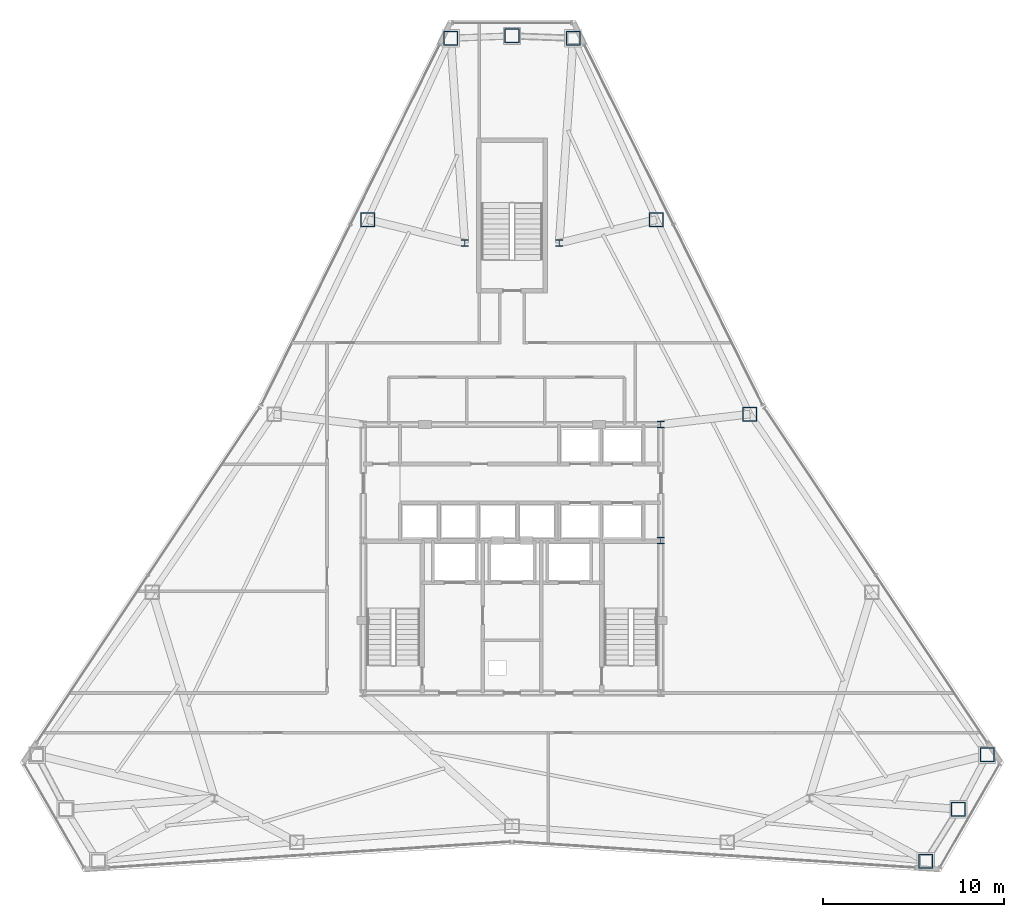
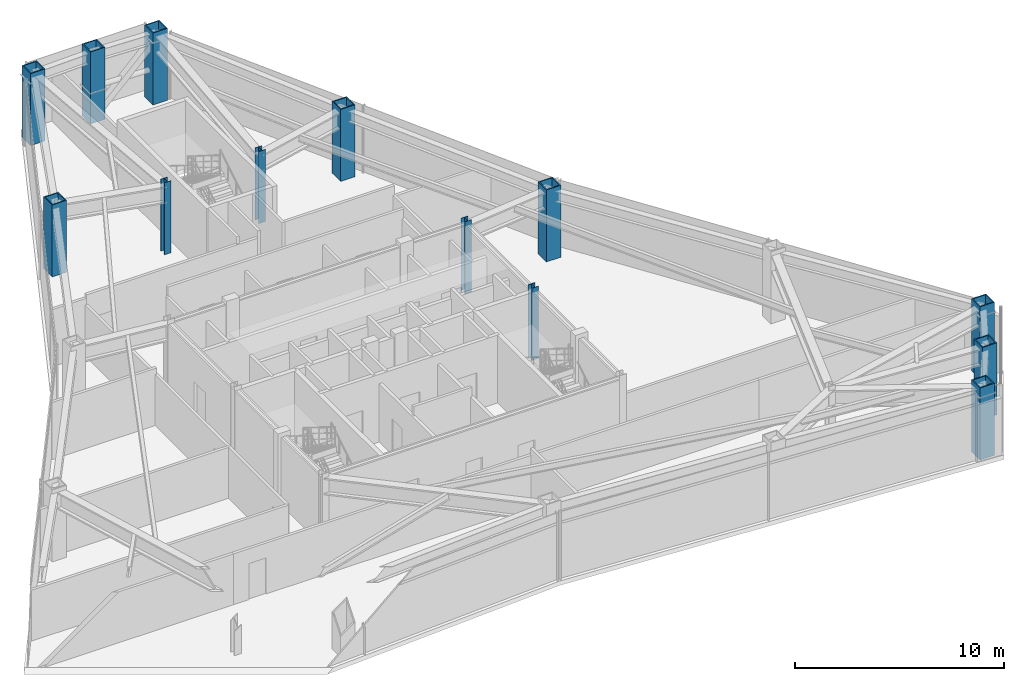
# One storey, part 2 of 13: 13 columns.
"""IFC4 building model written with IfcOpenShell, lengths in metres."""

import ifcopenshell
import ifcopenshell.guid

model = None  # the IFC model being written
_history = None  # IfcOwnerHistory: only IFC2X3 demands one
_inside = {}  # id of a spatial element -> (the spatial element, [elements in it])
_under = {}  # id of a project, library or spatial element -> (it, [spatial elements below it])
_declared = {}  # id of a project -> (the project, [libraries it declares])
_typed = {}  # id of a type object -> (the type object, [elements of that type])
_made_of = {}  # id of a material, layer set ... -> (it, [elements and type objects made of it])


def new_model(schema):
    """Start an empty IFC model of exactly this schema.

    Asked for "IFC4X3", IfcOpenShell would pick the latest addendum, in which some entities
    have other attributes; the version numbers below select the first issue.
    IFC2X3 requires an IfcOwnerHistory on every rooted entity: one is made here for all.
    """
    global model, _history
    if schema == "IFC4X3":
        model = ifcopenshell.file(schema_version=(4, 3, 0, 0))
    else:
        model = ifcopenshell.file(schema=schema)
    _inside.clear()
    _under.clear()
    _declared.clear()
    _typed.clear()
    _made_of.clear()
    _history = None
    if model.schema == "IFC2X3":
        org = make("IfcOrganization", Name="unknown")
        user = make(
            "IfcPersonAndOrganization",
            ThePerson=make("IfcPerson", FamilyName="unknown"),
            TheOrganization=org,
        )
        app = make(
            "IfcApplication",
            ApplicationDeveloper=org,
            Version="unknown",
            ApplicationFullName="unknown",
            ApplicationIdentifier="unknown",
        )
        _history = make(
            "IfcOwnerHistory",
            OwningUser=user,
            OwningApplication=app,
            ChangeAction="ADDED",
            CreationDate=0,
        )
    return model


def make(cls, **values):
    """One entity of the class cls with the attributes given. An attribute that is None is left unset."""
    return model.create_entity(
        cls, **{name: value for name, value in values.items() if value is not None}
    )


def rooted(cls, **values):
    """An entity with a GlobalId (a new one), such as an element, a storey or a relation."""
    return make(cls, GlobalId=ifcopenshell.guid.new(), OwnerHistory=_history, **values)


def si_unit(unit_type, name, prefix=None):
    """IfcSIUnit, for example si_unit("LENGTHUNIT", "METRE", prefix="MILLI")."""
    return make("IfcSIUnit", UnitType=unit_type, Prefix=prefix, Name=name)


def assignment(units):
    """IfcUnitAssignment: the units of a project."""
    return None if units is None else make("IfcUnitAssignment", Units=units)


def point(xyz):
    """IfcCartesianPoint."""
    return None if xyz is None else make("IfcCartesianPoint", Coordinates=xyz)


def direction(xyz):
    """IfcDirection."""
    return None if xyz is None else make("IfcDirection", DirectionRatios=xyz)


def frame(location, z_axis=None, x_axis=None):
    """IfcAxis2Placement3D, a coordinate frame: its origin and axes. An axis left out is left unset."""
    return make(
        "IfcAxis2Placement3D",
        Location=point(location),
        Axis=direction(z_axis),
        RefDirection=direction(x_axis),
    )


def frame_2d(location, x_axis=None):
    """IfcAxis2Placement2D, a coordinate frame in the plane: its origin and x axis."""
    return make(
        "IfcAxis2Placement2D", Location=point(location), RefDirection=direction(x_axis)
    )


def origin():
    """The frame at (0, 0, 0) with its axes left unset."""
    return frame((0.0, 0.0, 0.0))


def origin_2d():
    """The frame at (0, 0) in the plane with its x axis left unset."""
    return frame_2d((0.0, 0.0))


def place(relative_to, where):
    """IfcLocalPlacement: puts the frame where relative to a parent placement (None: the world)."""
    return make(
        "IfcLocalPlacement", PlacementRelTo=relative_to, RelativePlacement=where
    )


def context(
    kind, dimensions, precision=None, world=None, true_north=None, identifier=None
):
    """IfcGeometricRepresentationContext, for example the 3D "Model" context."""
    return make(
        "IfcGeometricRepresentationContext",
        ContextIdentifier=identifier,
        ContextType=kind,
        CoordinateSpaceDimension=dimensions,
        Precision=precision,
        WorldCoordinateSystem=world,
        TrueNorth=true_north,
    )


def subcontext(parent, identifier, kind, view, scale=None):
    """IfcGeometricRepresentationSubContext, for example "Body" below "Model"."""
    return make(
        "IfcGeometricRepresentationSubContext",
        ContextIdentifier=identifier,
        ContextType=kind,
        ParentContext=parent,
        TargetScale=scale,
        TargetView=view,
    )


def project(units=None, contexts=None):
    """IfcProject with its units and contexts."""
    return rooted(
        "IfcProject",
        Name="project",
        RepresentationContexts=contexts,
        UnitsInContext=assignment(units),
    )


def spatial(cls, under=None, at=None, **own):
    """A site, building, storey or space (cls), placed at a placement, below another one or the project."""
    s = rooted(cls, ObjectPlacement=at, **own)
    if under is not None:
        _under.setdefault(under.id(), (under, []))[1].append(s)
    return s


def profile(cls, at=None, kind="AREA", **sizes):
    """A parametric profile (cls). Its sizes go by their IFC names, for example OverallWidth=200.0."""
    return make(cls, ProfileType=kind, Position=at, **sizes)


def hollow_rectangle(**sizes):
    """IfcRectangleHollowProfileDef."""
    return profile("IfcRectangleHollowProfileDef", **sizes)


def i_section(**sizes):
    """IfcIShapeProfileDef."""
    return profile("IfcIShapeProfileDef", **sizes)


def extrude(swept, where, along, depth):
    """IfcExtrudedAreaSolid: the profile swept, set in the frame where, extruded along a direction by depth."""
    return make(
        "IfcExtrudedAreaSolid",
        SweptArea=swept,
        Position=where,
        ExtrudedDirection=direction(along),
        Depth=depth,
    )


def shape(context_of_items, identifier, shape_type, items):
    """IfcShapeRepresentation: the items that make up one representation, for example the "Body"."""
    return make(
        "IfcShapeRepresentation",
        ContextOfItems=context_of_items,
        RepresentationIdentifier=identifier,
        RepresentationType=shape_type,
        Items=items,
    )


def material(Name=None, Category=None):
    """IfcMaterial."""
    return make("IfcMaterial", Name=Name, Category=Category)


def material_profile(
    of_material, cross_section, Name=None, Category=None, Priority=None
):
    """IfcMaterialProfile: a cross section and its material."""
    return make(
        "IfcMaterialProfile",
        Name=Name,
        Material=of_material,
        Profile=cross_section,
        Priority=Priority,
        Category=Category,
    )


def profile_set(profiles, Name=None, composite=None):
    """IfcMaterialProfileSet."""
    return make(
        "IfcMaterialProfileSet",
        Name=Name,
        MaterialProfiles=profiles,
        CompositeProfile=composite,
    )


def made_of(thing, what):
    """Note that an element or type object is made of a material, layer set ...; save() writes the relation."""
    if what is not None:
        _made_of.setdefault(what.id(), (what, []))[1].append(thing)
    return thing


def type_object(cls, material=None, **own):
    """A type object (cls), such as IfcWallType, which elements share."""
    return made_of(rooted(cls, **own), material)


def element(
    cls,
    number,
    at=None,
    inside=None,
    cuts=None,
    type_object=None,
    material=None,
    context=None,
    identifier="Body",
    shape_type=None,
    held_by="IfcProductDefinitionShape",
    body=None,
    shapes=None,
    **own,
):
    """One element of the class cls, such as IfcWall. Its Tag is "e" and its number.

    at: its placement. inside: the storey or other place that contains it. cuts: it is an
    opening in that element (IfcRelVoidsElement). A single representation is given by context,
    identifier, shape_type and body (its items); several are given by shapes. held_by: the class
    of the entity that holds the representations. save() writes the other relations.
    """
    e = rooted(cls, Tag="e%d" % number, ObjectPlacement=at, **own)
    if body is not None:
        shapes = [shape(context, identifier, shape_type, body)]
    if shapes is not None:
        e.Representation = make(held_by, Representations=shapes)
    if inside is not None:
        _inside.setdefault(inside.id(), (inside, []))[1].append(e)
    if cuts is not None:
        rooted(
            "IfcRelVoidsElement", RelatingBuildingElement=cuts, RelatedOpeningElement=e
        )
    if type_object is not None:
        _typed.setdefault(type_object.id(), (type_object, []))[1].append(e)
    return made_of(e, material)


def aggregate(whole, parts):
    """IfcRelAggregates: a whole, such as a stair, and the parts it consists of."""
    return rooted("IfcRelAggregates", RelatingObject=whole, RelatedObjects=parts)


def save(model, path):
    """Write the relations noted so far, then the file.

    IfcRelAggregates (storeys below a building ...), IfcRelContainedInSpatialStructure (elements
    in a storey), IfcRelDefinesByType, IfcRelAssociatesMaterial and IfcRelDeclares: one each for
    every whole, place, type object, material and project.
    """
    for whole, parts in _under.values():
        aggregate(whole, parts)
    for where, things in _inside.values():
        rooted(
            "IfcRelContainedInSpatialStructure",
            RelatedElements=things,
            RelatingStructure=where,
        )
    for kind, things in _typed.values():
        rooted("IfcRelDefinesByType", RelatedObjects=things, RelatingType=kind)
    for what, things in _made_of.values():
        rooted("IfcRelAssociatesMaterial", RelatedObjects=things, RelatingMaterial=what)
    for by, libraries in _declared.values():
        rooted("IfcRelDeclares", RelatingContext=by, RelatedDefinitions=libraries)
    model.write(path)


model = new_model("IFC4")

# Units and contexts
model_context = context("Model", 3, precision=1e-05, world=origin(), true_north=direction((0.0, 1.0)))
body_context = subcontext(model_context, "Body", "Model", "MODEL_VIEW")
ifc_project = project(units=[si_unit("LENGTHUNIT", "METRE"), si_unit("AREAUNIT", "SQUARE_METRE"), si_unit("VOLUMEUNIT", "CUBIC_METRE"), si_unit("PLANEANGLEUNIT", "RADIAN"), si_unit("MASSUNIT", "GRAM", prefix="KILO")], contexts=[model_context])

# Site, building, storey
site_placement = place(None, origin())
site = spatial("IfcSite", under=ifc_project, at=site_placement, CompositionType="ELEMENT")
building_placement = place(site_placement, origin())
building = spatial("IfcBuilding", under=site, at=building_placement, Name="Varakhsha Concourse Tower", CompositionType="ELEMENT")
storey_placement = place(building_placement, frame((0.0, 0.0, 200.699951171875)))
storey = spatial("IfcBuildingStorey", under=building, at=storey_placement, Name="L57", CompositionType="ELEMENT", Elevation=200.699951171875)

# Columns
ifc_material_1 = material(Name="Structural Steel ASTM A992 Grade 50", Category="steel")
ifc_material_profile_1 = material_profile(ifc_material_1, i_section(OverallWidth=0.3740234375, OverallDepth=0.3720703125, WebThickness=0.01611328125, FlangeThickness=0.02587890625, at=origin_2d()), Name="W14X132")
ifc_profile_set_1 = profile_set([ifc_material_profile_1], Name="Structural Steel ASTM A992 Grade 50")
column_type_1 = type_object("IfcColumnType", Name="CL-CORE-W14X132", PredefinedType="COLUMN", material=ifc_profile_set_1)
for number, where, z_axis, x_axis, name in (
    (1, (48.199951171875, 24.800048828125, 0.0), (0.0, 0.0, 1.0), (1.0, 0.0, 0.0), "L57 Core Column CC-ME"),
    (2, (48.199951171875, 31.199951171875, 0.0), (0.0, 0.0, 1.0), (1.0, 0.0, 0.0), "L57 Core Column CC-NE"),
    (3, (37.39990234375, 41.199951171875, 0.0), (0.0, 0.0, 1.0), (1.0, 0.0, 0.0), "L57 Core Column NS-W"),
    (4, (42.60009765625, 41.199951171875, 0.0), (0.0, 0.0, 1.0), (1.0, 0.0, 0.0), "L57 Core Column NS-E"),
):
    element("IfcColumn", number, at=place(storey_placement, frame(where, z_axis=z_axis, x_axis=x_axis)), inside=storey, type_object=column_type_1, Name=name, PredefinedType="COLUMN", context=body_context, shape_type="SweptSolid", body=[
        extrude(i_section(OverallWidth=0.3740234375, OverallDepth=0.3720703125, WebThickness=0.01611328125, FlangeThickness=0.02587890625, at=origin_2d()), origin(), (0.0, 0.0, 1.0), 4.199951171875),
    ])
ifc_material_2 = material(Name="Structural Steel ASTM A572 Grade 50", Category="steel")
ifc_material_profile_2 = material_profile(ifc_material_2, hollow_rectangle(XDim=0.800048828125, YDim=0.800048828125, WallThickness=0.054931640625, at=origin_2d()), Name="BOX 800x800x55")
ifc_profile_set_2 = profile_set([ifc_material_profile_2], Name="Structural Steel ASTM A572 Grade 50")
column_type_2 = type_object("IfcColumnType", Name="CL-TUBE-800", PredefinedType="COLUMN", material=ifc_profile_set_2)
for number, where, z_axis, x_axis, name in (
    (5, (43.3798828125, 52.492919921875, 0.0), (0.0, 0.0, 1.0), (1.0, 0.0, 0.0), "L57 Framed-Tube Column TC01"),
    (6, (40.0, 52.617919921875, 0.0), (0.0, 0.0, 1.0), (1.0, 0.0, 0.0), "L57 Framed-Tube Column TC02"),
    (7, (36.6201171875, 52.492919921875, 0.0), (0.0, 0.0, 1.0), (1.0, 0.0, 0.0), "L57 Framed-Tube Column TC03"),
    (8, (32.04150390625, 42.498779296875, 0.0), (0.0, 0.0, 1.0), (1.0, 0.0, 0.0), "L57 Framed-Tube Column TC04"),
    (9, (62.8125, 7.12646484375, 0.0), (0.0, 0.0, 1.0), (1.0, 0.0, 0.0), "L57 Framed-Tube Column TC13"),
    (10, (64.610595703125, 9.9912109375, 0.0), (0.0, 0.0, 1.0), (1.0, 0.0, 0.0), "L57 Framed-Tube Column TC14"),
    (11, (66.1923828125, 12.980712890625, 0.0), (0.0, 0.0, 1.0), (1.0, 0.0, 0.0), "L57 Framed-Tube Column TC15"),
    (12, (53.1181640625, 31.773681640625, 0.0), (0.0, 0.0, 1.0), (1.0, 0.0, 0.0), "L57 Framed-Tube Column TC17"),
    (13, (47.95849609375, 42.498779296875, 0.0), (0.0, 0.0, 1.0), (1.0, 0.0, 0.0), "L57 Framed-Tube Column TC18"),
):
    element("IfcColumn", number, at=place(storey_placement, frame(where, z_axis=z_axis, x_axis=x_axis)), inside=storey, type_object=column_type_2, Name=name, PredefinedType="COLUMN", context=body_context, shape_type="SweptSolid", body=[
        extrude(hollow_rectangle(XDim=0.800048828125, YDim=0.800048828125, WallThickness=0.054931640625, at=origin_2d()), origin(), (0.0, 0.0, 1.0), 4.199951171875),
    ])

save(model, "model.ifc")
